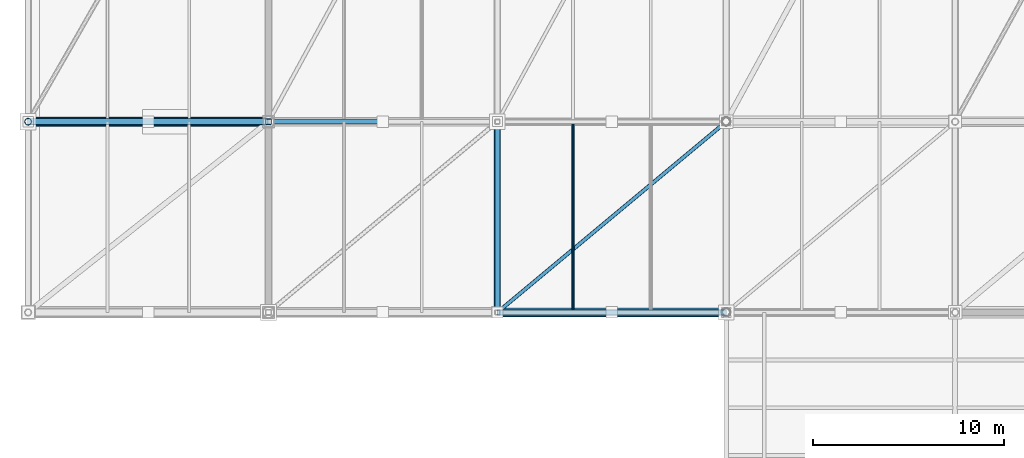
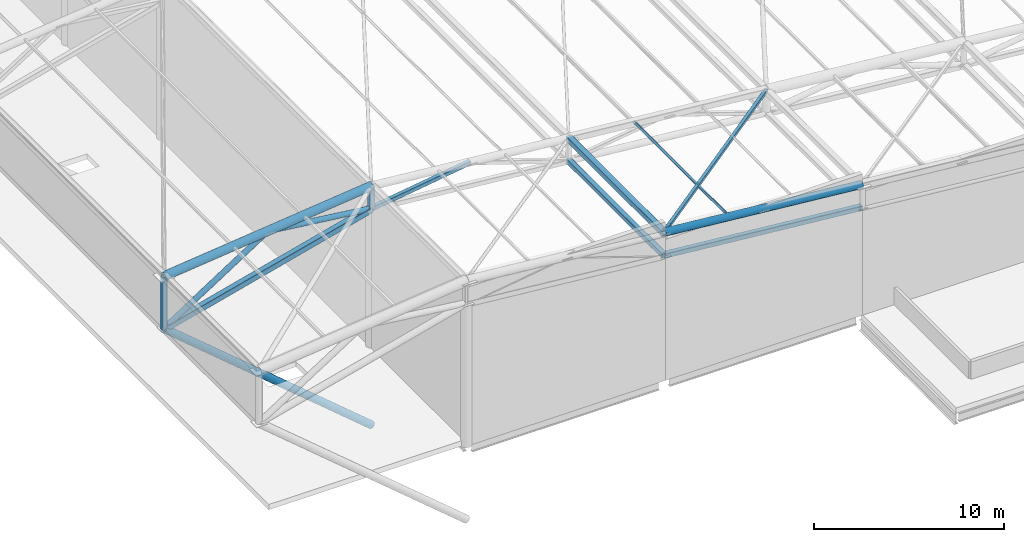
# One storey, part 6 of 44: 14 members.
"""IFC4 building model written with IfcOpenShell, lengths in metres."""

from ifc_helpers import new_model, si_unit, direction, frame, origin, origin_2d, place, context, subcontext, project, spatial, hollow_rectangle, hollow_circle, extrude, material, material_profile, profile_set, type_object, element, save


model = new_model("IFC4")

# Units and contexts
model_context = context("Model", 3, precision=1e-05, world=origin(), true_north=direction((0.0, 1.0)))
body_context = subcontext(model_context, "Body", "Model", "MODEL_VIEW")
ifc_project = project(units=[si_unit("LENGTHUNIT", "METRE"), si_unit("AREAUNIT", "SQUARE_METRE"), si_unit("VOLUMEUNIT", "CUBIC_METRE"), si_unit("PLANEANGLEUNIT", "RADIAN"), si_unit("MASSUNIT", "GRAM", prefix="KILO")], contexts=[model_context])

# Site, building, storey
site_placement = place(None, origin())
site = spatial("IfcSite", under=ifc_project, at=site_placement, CompositionType="ELEMENT")
building_placement = place(site_placement, origin())
building = spatial("IfcBuilding", under=site, at=building_placement, Name="Brinegate Civic Arena", CompositionType="ELEMENT")
storey_placement = place(building_placement, frame((0.0, 0.0, 29.39990234375)))
storey = spatial("IfcBuildingStorey", under=building, at=storey_placement, Name="RF", CompositionType="ELEMENT", Elevation=29.39990234375)

# Members
ifc_material = material(Name="Steel S355", Category="steel")
ifc_material_profile_1 = material_profile(ifc_material, hollow_circle(Radius=0.083984375, WallThickness=0.008056640625, at=origin_2d()), Name="CHS168X8")
ifc_profile_set_1 = profile_set([ifc_material_profile_1], Name="Steel S355")
member_type_1 = type_object("IfcMemberType", Name="RF-PURLIN-CHS168", PredefinedType="PURLIN", material=ifc_profile_set_1)
member_1_placement = place(storey_placement, frame((75.9599609375, 10.0, 9.085205078125), z_axis=(0.0, 1.0, 0.0), x_axis=(-1.0, 0.0, 0.0)))
element("IfcMember", 1, at=member_1_placement, inside=storey, type_object=member_type_1, Name="Roof Purlin RFP-005", PredefinedType="PURLIN", context=body_context, shape_type="SweptSolid", body=[
    extrude(hollow_circle(Radius=0.083984375, WallThickness=0.008056640625, at=origin_2d()), origin(), (0.0, 0.0, 1.0), 10.0),
])
ifc_material_profile_2 = material_profile(ifc_material, hollow_circle(Radius=0.162109375, WallThickness=0.011962890625, at=origin_2d()), Name="CHS324X12")
ifc_profile_set_2 = profile_set([ifc_material_profile_2], Name="Steel S355")
member_type_2 = type_object("IfcMemberType", Name="SF-BRACE-CHS324", PredefinedType="BRACE", material=ifc_profile_set_2)
member_2_placement = place(storey_placement, frame((47.39990234375, 20.0, 5.800048828125), z_axis=(0.841177416252, 0.0, 0.540759238837), x_axis=(0.0, 1.0, 0.0)))
element("IfcMember", 2, at=member_2_placement, inside=storey, type_object=member_type_2, Name="Space Frame Web Brace D1-2-1", PredefinedType="BRACE", context=body_context, shape_type="SweptSolid", body=[
    extrude(hollow_circle(Radius=0.162109375, WallThickness=0.011962890625, at=origin_2d()), origin(), (0.0, 0.0, 1.0), 7.489501953125),
])
member_3_placement = place(storey_placement, frame((53.699951171875, 20.0, 9.85009765625), z_axis=(0.992988381742, 0.0, -0.118211986387), x_axis=(0.0, 1.0, 0.0)))
element("IfcMember", 3, at=member_3_placement, inside=storey, type_object=member_type_2, Name="Space Frame Web Brace D2-2-1", PredefinedType="BRACE", context=body_context, shape_type="SweptSolid", body=[
    extrude(hollow_circle(Radius=0.162109375, WallThickness=0.011962890625, at=origin_2d()), origin(), (0.0, 0.0, 1.0), 6.344482421875),
])
ifc_material_profile_3 = material_profile(ifc_material, hollow_rectangle(XDim=0.199951171875, YDim=0.199951171875, WallThickness=0.010009765625, InnerFilletRadius=0.010009765625, OuterFilletRadius=0.02001953125, at=origin_2d()), Name="SHS200X10")
ifc_profile_set_3 = profile_set([ifc_material_profile_3], Name="Steel S355")
member_type_3 = type_object("IfcMemberType", Name="SF-BRACE-SHS200", PredefinedType="BRACE", material=ifc_profile_set_3)
member_4_placement = place(storey_placement, frame((72.0, 10.0, 9.425048828125), z_axis=(0.766236619907, 0.638530516589, -0.071834683116), x_axis=(-0.640184399664, 0.768221279597, 0.0)))
element("IfcMember", 4, at=member_4_placement, inside=storey, type_object=member_type_3, Name="Roof Plan Diagonal Brace PL-1-3", PredefinedType="BRACE", context=body_context, shape_type="SweptSolid", body=[
    extrude(hollow_rectangle(XDim=0.199951171875, YDim=0.199951171875, WallThickness=0.010009765625, InnerFilletRadius=0.010009765625, OuterFilletRadius=0.02001953125, at=origin_2d()), origin(), (0.0, 0.0, 1.0), 15.660888671875),
])
ifc_material_profile_4 = material_profile(ifc_material, hollow_rectangle(XDim=0.25, YDim=0.25, WallThickness=0.011962890625, InnerFilletRadius=0.011962890625, OuterFilletRadius=0.02392578125, at=origin_2d()), Name="SHS250X12")
ifc_profile_set_4 = profile_set([ifc_material_profile_4], Name="Steel S355")
member_type_4 = type_object("IfcMemberType", Name="SF-BRACE-SHS250", PredefinedType="BRACE", material=ifc_profile_set_4)
member_5_placement = place(storey_placement, frame((60.0, 20.0, 9.10009765625), z_axis=(0.989226142737, 0.0, 0.1463954867), x_axis=(0.0, 1.0, 0.0)))
element("IfcMember", 5, at=member_5_placement, inside=storey, type_object=member_type_4, Name="Space Frame Web Brace D1-2-2", PredefinedType="BRACE", context=body_context, shape_type="SweptSolid", body=[
    extrude(hollow_rectangle(XDim=0.25, YDim=0.25, WallThickness=0.011962890625, InnerFilletRadius=0.011962890625, OuterFilletRadius=0.02392578125, at=origin_2d()), origin(), (0.0, 0.0, 1.0), 6.0654296875),
])
ifc_material_profile_5 = material_profile(ifc_material, hollow_circle(Radius=0.228515625, WallThickness=0.01611328125, at=origin_2d()), Name="CHS457X16")
ifc_profile_set_5 = profile_set([ifc_material_profile_5], Name="Steel S355")
member_type_5 = type_object("IfcMemberType", Name="SF-CHORD-CHS457", PredefinedType="CHORD", material=ifc_profile_set_5)
member_6_placement = place(storey_placement, frame((72.0, 10.0, 9.425048828125), z_axis=(0.995634226059, 0.0, -0.093340708693), x_axis=(0.0, 1.0, 0.0)))
element("IfcMember", 6, at=member_6_placement, inside=storey, type_object=member_type_5, Name="Space Frame Top Chord TX-1-3", PredefinedType="CHORD", context=body_context, shape_type="SweptSolid", body=[
    extrude(hollow_circle(Radius=0.228515625, WallThickness=0.01611328125, at=origin_2d()), origin(), (0.0, 0.0, 1.0), 12.052734375),
])
ifc_material_profile_6 = material_profile(ifc_material, hollow_circle(Radius=0.25390625, WallThickness=0.02001953125, at=origin_2d()), Name="CHS508X20")
ifc_profile_set_6 = profile_set([ifc_material_profile_6], Name="Steel S355")
member_type_6 = type_object("IfcMemberType", Name="SF-CHORD-CHS508", PredefinedType="CHORD", material=ifc_profile_set_6)
member_7_placement = place(storey_placement, frame((47.39990234375, 20.0, 9.150146484375), z_axis=(0.993884674033, 0.0, 0.110423071515), x_axis=(0.0, 1.0, 0.0)))
element("IfcMember", 7, at=member_7_placement, inside=storey, type_object=member_type_6, Name="Space Frame Top Chord TX-2-1", PredefinedType="CHORD", context=body_context, shape_type="SweptSolid", body=[
    extrude(hollow_circle(Radius=0.25390625, WallThickness=0.02001953125, at=origin_2d()), origin(), (0.0, 0.0, 1.0), 12.677734375),
])
ifc_material_profile_7 = material_profile(ifc_material, hollow_rectangle(XDim=0.300048828125, YDim=0.300048828125, WallThickness=0.01611328125, InnerFilletRadius=0.01611328125, OuterFilletRadius=0.031982421875, at=origin_2d()), Name="SHS300X16")
ifc_profile_set_7 = profile_set([ifc_material_profile_7], Name="Steel S355")
member_type_7 = type_object("IfcMemberType", Name="SF-CHORD-SHS300", PredefinedType="CHORD", material=ifc_profile_set_7)
member_8_placement = place(storey_placement, frame((72.0, 10.0, 7.97509765625), z_axis=(0.995634226059, 0.0, -0.093340708693), x_axis=(0.0, 1.0, 0.0)))
element("IfcMember", 8, at=member_8_placement, inside=storey, type_object=member_type_7, Name="Space Frame Bottom Chord BX-1-3", PredefinedType="CHORD", context=body_context, shape_type="SweptSolid", body=[
    extrude(hollow_rectangle(XDim=0.300048828125, YDim=0.300048828125, WallThickness=0.01611328125, InnerFilletRadius=0.01611328125, OuterFilletRadius=0.031982421875, at=origin_2d()), origin(), (0.0, 0.0, 1.0), 12.052734375),
])
member_9_placement = place(storey_placement, frame((72.0, 10.0, 7.97509765625), z_axis=(0.0, 1.0, 0.0), x_axis=(-1.0, 0.0, 0.0)))
element("IfcMember", 9, at=member_9_placement, inside=storey, type_object=member_type_7, Name="Space Frame Cross Bottom Chord BY-1-3", PredefinedType="CHORD", context=body_context, shape_type="SweptSolid", body=[
    extrude(hollow_rectangle(XDim=0.300048828125, YDim=0.300048828125, WallThickness=0.01611328125, InnerFilletRadius=0.01611328125, OuterFilletRadius=0.031982421875, at=origin_2d()), origin(), (0.0, 0.0, 1.0), 10.0),
])
ifc_material_profile_8 = material_profile(ifc_material, hollow_rectangle(XDim=0.35009765625, YDim=0.35009765625, WallThickness=0.01611328125, InnerFilletRadius=0.01611328125, OuterFilletRadius=0.031982421875, at=origin_2d()), Name="SHS350X16")
ifc_profile_set_8 = profile_set([ifc_material_profile_8], Name="Steel S355")
member_type_8 = type_object("IfcMemberType", Name="SF-CHORD-SHS350", PredefinedType="CHORD", material=ifc_profile_set_8)
member_10_placement = place(storey_placement, frame((47.39990234375, 20.0, 5.800048828125), z_axis=(0.967371785856, 0.0, 0.25336106238), x_axis=(0.0, 1.0, 0.0)))
element("IfcMember", 10, at=member_10_placement, inside=storey, type_object=member_type_8, Name="Space Frame Bottom Chord BX-2-1", PredefinedType="CHORD", context=body_context, shape_type="SweptSolid", body=[
    extrude(hollow_rectangle(XDim=0.35009765625, YDim=0.35009765625, WallThickness=0.01611328125, InnerFilletRadius=0.01611328125, OuterFilletRadius=0.031982421875, at=origin_2d()), origin(), (0.0, 0.0, 1.0), 13.025146484375),
])
member_11_placement = place(storey_placement, frame((72.0, 10.0, 9.425048828125), z_axis=(0.0, 1.0, 0.0), x_axis=(-1.0, 0.0, 0.0)))
element("IfcMember", 11, at=member_11_placement, inside=storey, type_object=member_type_8, Name="Space Frame Cross Top Chord TY-1-3", PredefinedType="CHORD", context=body_context, shape_type="SweptSolid", body=[
    extrude(hollow_rectangle(XDim=0.35009765625, YDim=0.35009765625, WallThickness=0.01611328125, InnerFilletRadius=0.01611328125, OuterFilletRadius=0.031982421875, at=origin_2d()), origin(), (0.0, 0.0, 1.0), 10.0),
])
ifc_material_profile_9 = material_profile(ifc_material, hollow_circle(Radius=0.177978515625, WallThickness=0.013916015625, at=origin_2d()), Name="CHS356X14")
ifc_profile_set_9 = profile_set([ifc_material_profile_9], Name="Steel S355")
member_type_9 = type_object("IfcMemberType", Name="SF-STRUT-CHS356", PredefinedType="STRUT", material=ifc_profile_set_9)
member_12_placement = place(storey_placement, frame((47.39990234375, 20.0, 5.800048828125), z_axis=(0.0, 0.0, 1.0), x_axis=(1.0, 0.0, 0.0)))
element("IfcMember", 12, at=member_12_placement, inside=storey, type_object=member_type_9, Name="Space Frame Vertical Post V-2-1", PredefinedType="STRUT", context=body_context, shape_type="SweptSolid", body=[
    extrude(hollow_circle(Radius=0.177978515625, WallThickness=0.013916015625, at=origin_2d()), origin(), (0.0, 0.0, 1.0), 3.35009765625),
])
ifc_material_profile_10 = material_profile(ifc_material, hollow_circle(Radius=0.228515625, WallThickness=0.01611328125, at=origin_2d()), Name="CHS457X16")
ifc_profile_set_10 = profile_set([ifc_material_profile_10], Name="Steel S355")
member_type_10 = type_object("IfcMemberType", Name="SF-STRUT-CHS457", PredefinedType="STRUT", material=ifc_profile_set_10)
member_13_placement = place(storey_placement, frame((60.0, 20.0, -4.7998046875), z_axis=(-0.765232927861, 0.0, 0.643753497945), x_axis=(0.0, -1.0, 0.0)))
element("IfcMember", 13, at=member_13_placement, inside=storey, type_object=member_type_10, Name="Cantilever Back-Prop Strut SFS-CANT-02", PredefinedType="STRUT", context=body_context, shape_type="SweptSolid", body=[
    extrude(hollow_circle(Radius=0.228515625, WallThickness=0.01611328125, at=origin_2d()), origin(), (0.0, 0.0, 1.0), 16.4658203125),
])
ifc_material_profile_11 = material_profile(ifc_material, hollow_rectangle(XDim=0.300048828125, YDim=0.300048828125, WallThickness=0.01611328125, InnerFilletRadius=0.01611328125, OuterFilletRadius=0.031982421875, at=origin_2d()), Name="SHS300X16")
ifc_profile_set_11 = profile_set([ifc_material_profile_11], Name="Steel S355")
member_type_11 = type_object("IfcMemberType", Name="SF-STRUT-SHS300", PredefinedType="STRUT", material=ifc_profile_set_11)
member_14_placement = place(storey_placement, frame((60.0, 20.0, 9.10009765625), z_axis=(0.0, 0.0, 1.0), x_axis=(1.0, 0.0, 0.0)))
element("IfcMember", 14, at=member_14_placement, inside=storey, type_object=member_type_11, Name="Space Frame Vertical Post V-2-2", PredefinedType="STRUT", context=body_context, shape_type="SweptSolid", body=[
    extrude(hollow_rectangle(XDim=0.300048828125, YDim=0.300048828125, WallThickness=0.01611328125, InnerFilletRadius=0.01611328125, OuterFilletRadius=0.031982421875, at=origin_2d()), origin(), (0.0, 0.0, 1.0), 1.449951171875),
])

save(model, "model.ifc")
